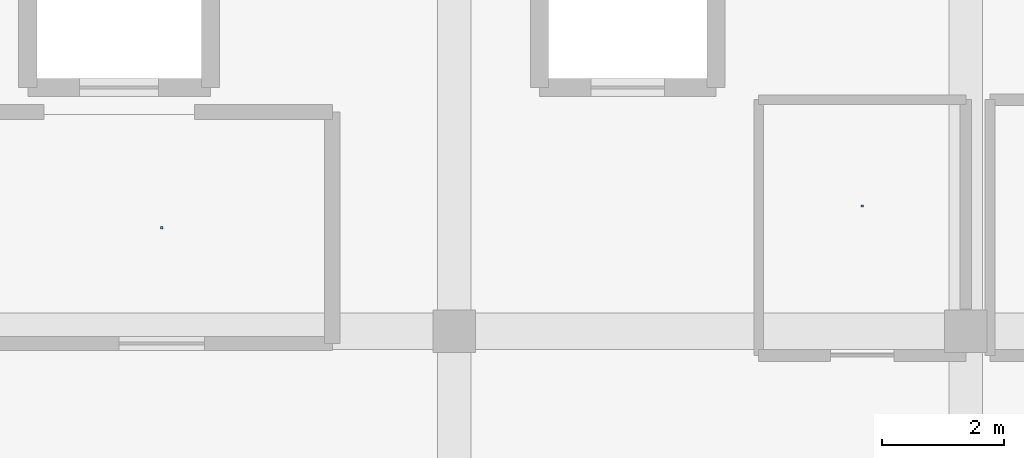
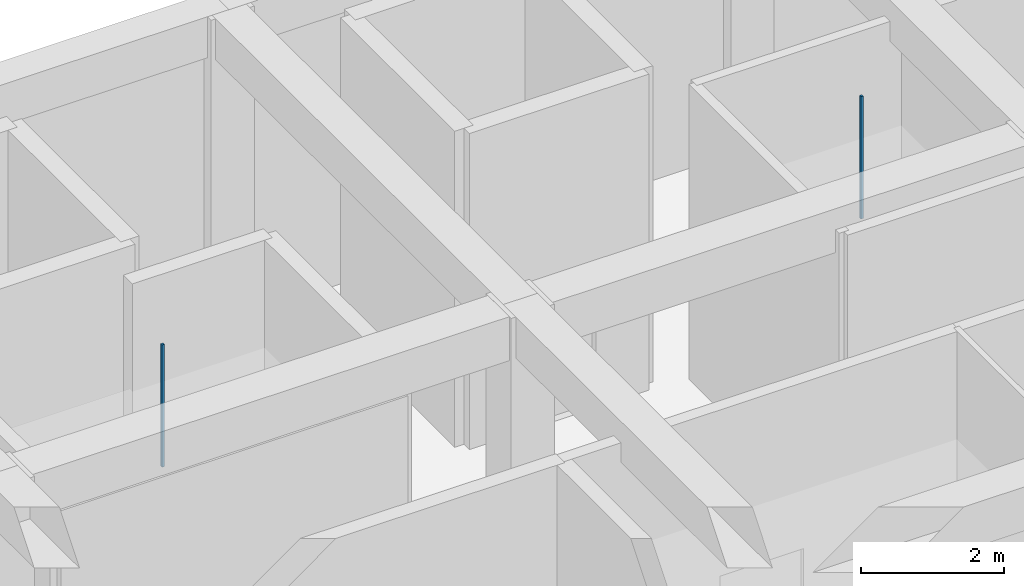
# One storey, part 137 of 167: 2 discrete accessories.
"""IFC4 building model written with IfcOpenShell, lengths in metres."""

from ifc_helpers import new_model, si_unit, direction, frame, origin, origin_2d, place, context, subcontext, project, spatial, rectangle, extrude, material, type_object, element, save


model = new_model("IFC4")

# Units and contexts
model_context = context("Model", 3, precision=1e-05, world=origin(), true_north=direction((0.0, 1.0)))
body_context = subcontext(model_context, "Body", "Model", "MODEL_VIEW")
ifc_project = project(units=[si_unit("LENGTHUNIT", "METRE"), si_unit("AREAUNIT", "SQUARE_METRE"), si_unit("VOLUMEUNIT", "CUBIC_METRE"), si_unit("PLANEANGLEUNIT", "RADIAN"), si_unit("MASSUNIT", "GRAM", prefix="KILO")], contexts=[model_context])

# Site, building, storey
site_placement = place(None, origin())
site = spatial("IfcSite", under=ifc_project, at=site_placement, CompositionType="ELEMENT")
building_placement = place(site_placement, origin())
building = spatial("IfcBuilding", under=site, at=building_placement, Name="Varncliffe General Hospital", CompositionType="ELEMENT")
storey_placement = place(building_placement, origin())
storey = spatial("IfcBuildingStorey", under=building, at=storey_placement, Name="L00", CompositionType="ELEMENT", Elevation=0.0)

# Discrete accessories
ifc_material = material(Name="Powder-coated hospital steel guardrail and handrail", Category="steel")
discrete_accessory_type = type_object("IfcDiscreteAccessoryType", Name="Suspended Ceiling Hanger Bracket CH01", PredefinedType="BRACKET", material=ifc_material)
for number, where, z_axis, x_axis, name in (
    (1, (129.60009765625, 118.10009765625, 3.18994140625), (0.0, 0.0, 1.0), (1.0, 0.0, 0.0), "L00 Suspended Ceiling Hanger 3"),
    (2, (141.10009765625, 118.455078125, 3.18994140625), (0.0, 0.0, 1.0), (1.0, 0.0, 0.0), "L00 Suspended Ceiling Hanger 13"),
):
    element("IfcDiscreteAccessory", number, at=place(storey_placement, frame(where, z_axis=z_axis, x_axis=x_axis)), inside=storey, type_object=discrete_accessory_type, Name=name, PredefinedType="BRACKET", context=body_context, shape_type="SweptSolid", body=[
        extrude(rectangle(XDim=0.0400390625, YDim=0.0400390625, at=origin_2d()), origin(), (0.0, 0.0, 1.0), 2.090087890625),
    ])

save(model, "model.ifc")
